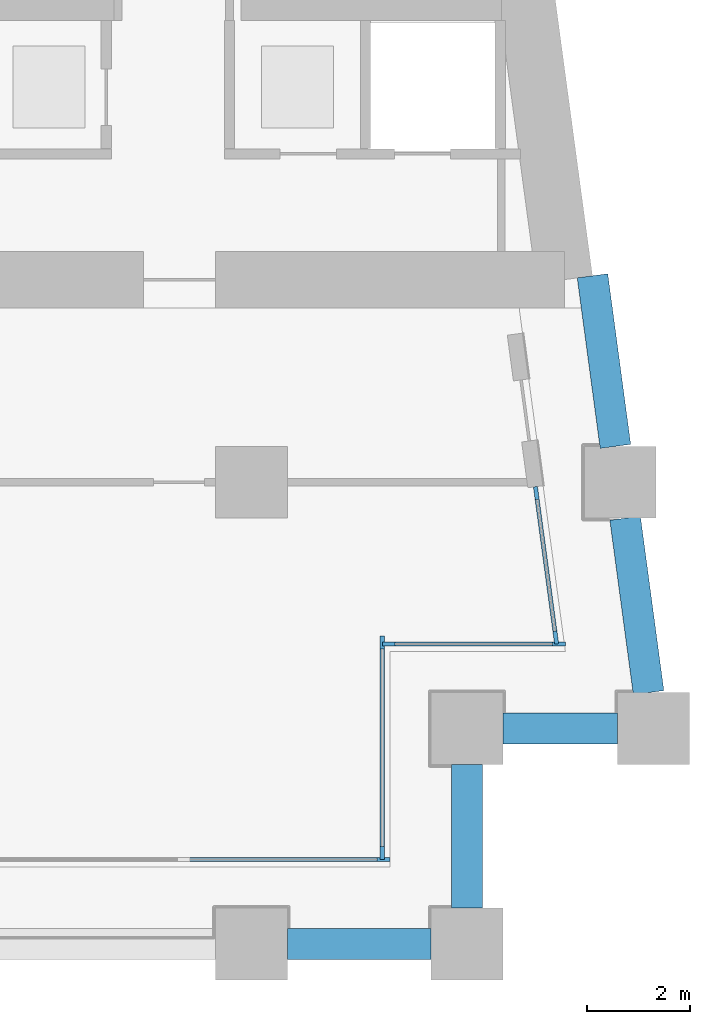
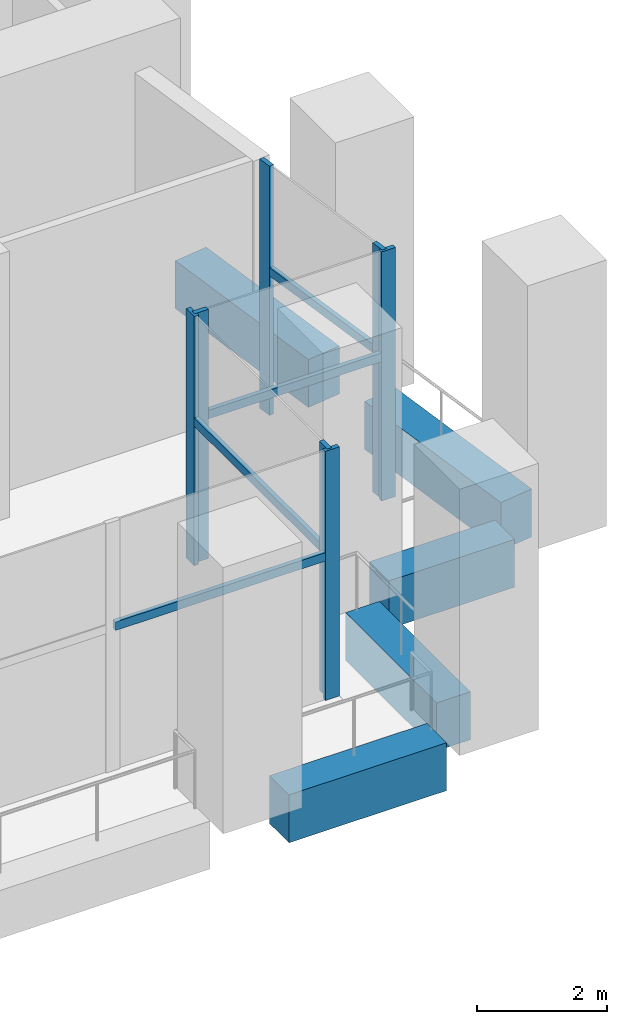
# One storey, part 3 of 15: 11 members, 5 beams, 4 elements without a shape of their own.
"""IFC4 building model written with IfcOpenShell, lengths in metres."""

from ifc_helpers import new_model, si_unit, direction, frame, origin, origin_2d, place, context, subcontext, project, spatial, rectangle, extrude, material, material_profile, profile_set, type_object, element, aggregate, save


model = new_model("IFC4")

# Units and contexts
model_context = context("Model", 3, precision=1e-05, world=origin(), true_north=direction((0.0, 1.0)))
body_context = subcontext(model_context, "Body", "Model", "MODEL_VIEW")
ifc_project = project(units=[si_unit("LENGTHUNIT", "METRE"), si_unit("AREAUNIT", "SQUARE_METRE"), si_unit("VOLUMEUNIT", "CUBIC_METRE"), si_unit("PLANEANGLEUNIT", "RADIAN"), si_unit("MASSUNIT", "GRAM", prefix="KILO")], contexts=[model_context])

# Site, building, storey
site_placement = place(None, origin())
site = spatial("IfcSite", under=ifc_project, at=site_placement, CompositionType="ELEMENT")
building_placement = place(site_placement, origin())
building = spatial("IfcBuilding", under=site, at=building_placement, Name="Candeia Pilgrim Tower and Theatre", CompositionType="ELEMENT")
storey_placement = place(building_placement, frame((0.0, 0.0, 86.0)))
storey = spatial("IfcBuildingStorey", under=building, at=storey_placement, Name="L19", CompositionType="ELEMENT", Elevation=86.0)

# Curtain wall, member
ifc_material_1 = material(Name="Aluminium framed sky lobby glazing", Category="aluminium")
curtain_wall_type = type_object("IfcCurtainWallType", Name="CW-S curtain wall", PredefinedType="NOTDEFINED", material=ifc_material_1)
curtain_wall_1_placement = place(storey_placement, origin())
curtain_wall_1 = element("IfcCurtainWall", 1, at=curtain_wall_1_placement, inside=storey, type_object=curtain_wall_type, Name="Curtain wall CW-S L19.002", PredefinedType="NOTDEFINED")
ifc_material_2 = material(Name="Anodised aluminium", Category="aluminium")
ifc_material_profile_1 = material_profile(ifc_material_2, rectangle(XDim=0.080078125, YDim=0.25, at=origin_2d()))
ifc_profile_set_1 = profile_set([ifc_material_profile_1], Name="Anodised aluminium")
member_type_1 = type_object("IfcMemberType", Name="CW-S mullion 80x250", PredefinedType="MULLION", material=ifc_profile_set_1)
member_1_placement = place(storey_placement, frame((136.97509765625, 99.64990234375, 0.0), z_axis=(0.0, 0.0, 1.0), x_axis=(0.0, 1.0, 0.0)))
member_1 = element("IfcMember", 2, at=member_1_placement, type_object=member_type_1, Name="CW-S mullion 6", PredefinedType="MULLION", context=body_context, shape_type="SweptSolid", body=[
    extrude(rectangle(XDim=0.080078125, YDim=0.25, at=origin_2d()), origin(), (0.0, 0.0, 1.0), 4.679931640625),
])

# Curtain wall, members
curtain_wall_2_placement = place(storey_placement, origin())
curtain_wall_2 = element("IfcCurtainWall", 3, at=curtain_wall_2_placement, inside=storey, type_object=curtain_wall_type, Name="Curtain wall CW-S L19.100", PredefinedType="NOTDEFINED")
member_2_placement = place(storey_placement, frame((136.949951171875, 99.77490234375, 0.0), z_axis=(0.0, 0.0, 1.0), x_axis=(-1.0, 0.0, 0.0)))
member_2 = element("IfcMember", 4, at=member_2_placement, type_object=member_type_1, Name="CW-S mullion 1", PredefinedType="MULLION", context=body_context, shape_type="SweptSolid", body=[
    extrude(rectangle(XDim=0.080078125, YDim=0.25, at=origin_2d()), origin(), (0.0, 0.0, 1.0), 4.679931640625),
])
member_3_placement = place(storey_placement, frame((136.949951171875, 103.875, 0.0), z_axis=(0.0, 0.0, 1.0), x_axis=(-1.0, 0.0, 0.0)))
member_3 = element("IfcMember", 5, at=member_3_placement, type_object=member_type_1, Name="CW-S mullion 2", PredefinedType="MULLION", context=body_context, shape_type="SweptSolid", body=[
    extrude(rectangle(XDim=0.080078125, YDim=0.25, at=origin_2d()), origin(), (0.0, 0.0, 1.0), 4.679931640625),
])

curtain_wall_3_placement = place(storey_placement, origin())
curtain_wall_3 = element("IfcCurtainWall", 6, at=curtain_wall_3_placement, inside=storey, type_object=curtain_wall_type, Name="Curtain wall CW-S L19.200", PredefinedType="NOTDEFINED")
member_4_placement = place(storey_placement, frame((137.074951171875, 103.85009765625, 0.0), z_axis=(0.0, 0.0, 1.0), x_axis=(0.0, 1.0, 0.0)))
member_4 = element("IfcMember", 7, at=member_4_placement, type_object=member_type_1, Name="CW-S mullion 1", PredefinedType="MULLION", context=body_context, shape_type="SweptSolid", body=[
    extrude(rectangle(XDim=0.080078125, YDim=0.25, at=origin_2d()), origin(), (0.0, 0.0, 1.0), 4.679931640625),
])
member_5_placement = place(storey_placement, frame((140.39404296875, 103.85009765625, 0.0), z_axis=(0.0, 0.0, 1.0), x_axis=(0.0, 1.0, 0.0)))
member_5 = element("IfcMember", 8, at=member_5_placement, type_object=member_type_1, Name="CW-S mullion 2", PredefinedType="MULLION", context=body_context, shape_type="SweptSolid", body=[
    extrude(rectangle(XDim=0.080078125, YDim=0.25, at=origin_2d()), origin(), (0.0, 0.0, 1.0), 4.679931640625),
])

curtain_wall_4_placement = place(storey_placement, origin())
curtain_wall_4 = element("IfcCurtainWall", 9, at=curtain_wall_4_placement, inside=storey, type_object=curtain_wall_type, Name="Curtain wall CW-S L19.300", PredefinedType="NOTDEFINED")
member_6_placement = place(storey_placement, frame((140.3310546875, 103.973876953125, 0.0), z_axis=(0.0, 0.0, 1.0), x_axis=(-0.991060661622, -0.133412012145, 0.0)))
member_6 = element("IfcMember", 10, at=member_6_placement, type_object=member_type_1, Name="CW-S mullion 1", PredefinedType="MULLION", context=body_context, shape_type="SweptSolid", body=[
    extrude(rectangle(XDim=0.080078125, YDim=0.25, at=origin_2d()), origin(), (0.0, 0.0, 1.0), 4.679931640625),
])
member_7_placement = place(storey_placement, frame((139.951904296875, 106.78955078125, 0.0), z_axis=(0.0, 0.0, 1.0), x_axis=(-0.991060661622, -0.133412012145, 0.0)))
member_7 = element("IfcMember", 11, at=member_7_placement, type_object=member_type_1, Name="CW-S mullion 2", PredefinedType="MULLION", context=body_context, shape_type="SweptSolid", body=[
    extrude(rectangle(XDim=0.080078125, YDim=0.25, at=origin_2d()), origin(), (0.0, 0.0, 1.0), 4.679931640625),
])

# Member
ifc_material_profile_2 = material_profile(ifc_material_2, rectangle(XDim=0.080078125, YDim=0.159912109375, at=origin_2d()))
ifc_profile_set_2 = profile_set([ifc_material_profile_2], Name="Anodised aluminium")
member_type_2 = type_object("IfcMemberType", Name="CW-S transom 80x160", PredefinedType="USERDEFINED", material=ifc_profile_set_2)
member_8_placement = place(storey_placement, frame((133.1201171875, 99.64990234375, 2.699951171875), z_axis=(1.0, 0.0, 0.0), x_axis=(0.0, 1.0, 0.0)))
member_8 = element("IfcMember", 12, at=member_8_placement, type_object=member_type_2, Name="CW-S transom 5.1", ObjectType="TRANSOM", PredefinedType="USERDEFINED", context=body_context, shape_type="SweptSolid", body=[
    extrude(rectangle(XDim=0.080078125, YDim=0.159912109375, at=origin_2d()), origin(), (0.0, 0.0, 1.0), 3.81494140625),
])

aggregate(curtain_wall_1, [member_1, member_8])

member_9_placement = place(storey_placement, frame((136.949951171875, 99.81494140625, 2.699951171875), z_axis=(0.0, 1.0, 0.0), x_axis=(-1.0, 0.0, 0.0)))
member_9 = element("IfcMember", 13, at=member_9_placement, type_object=member_type_2, Name="CW-S transom 1.1", ObjectType="TRANSOM", PredefinedType="USERDEFINED", context=body_context, shape_type="SweptSolid", body=[
    extrude(rectangle(XDim=0.080078125, YDim=0.159912109375, at=origin_2d()), origin(), (0.0, 0.0, 1.0), 4.02001953125),
])

aggregate(curtain_wall_2, [member_2, member_3, member_9])

member_10_placement = place(storey_placement, frame((137.114990234375, 103.85009765625, 2.699951171875), z_axis=(1.0, 0.0, 0.0), x_axis=(0.0, 1.0, 0.0)))
member_10 = element("IfcMember", 14, at=member_10_placement, type_object=member_type_2, Name="CW-S transom 1.1", ObjectType="TRANSOM", PredefinedType="USERDEFINED", context=body_context, shape_type="SweptSolid", body=[
    extrude(rectangle(XDim=0.080078125, YDim=0.159912109375, at=origin_2d()), origin(), (0.0, 0.0, 1.0), 3.2392578125),
])

aggregate(curtain_wall_3, [member_4, member_5, member_10])

member_11_placement = place(storey_placement, frame((140.32568359375, 104.013427734375, 2.699951171875), z_axis=(-0.133420362397, 0.991059537514, 0.0), x_axis=(-0.991059537514, -0.133420362397, 0.0)))
member_11 = element("IfcMember", 15, at=member_11_placement, type_object=member_type_2, Name="CW-S transom 1.1", ObjectType="TRANSOM", PredefinedType="USERDEFINED", context=body_context, shape_type="SweptSolid", body=[
    extrude(rectangle(XDim=0.080078125, YDim=0.159912109375, at=origin_2d()), origin(), (0.0, 0.0, 1.0), 2.76123046875),
])

aggregate(curtain_wall_4, [member_6, member_7, member_11])

# Beams
ifc_material_3 = material(Name="Concrete C80/95", Category="concrete")
ifc_material_profile_3 = material_profile(ifc_material_3, rectangle(XDim=0.60009765625, YDim=0.89990234375, at=origin_2d()))
ifc_profile_set_3 = profile_set([ifc_material_profile_3], Name="Concrete C80/95")
beam_type = type_object("IfcBeamType", Name="RC 600x900 C80/95", PredefinedType="BEAM", material=ifc_profile_set_3)
beam_1_placement = place(storey_placement, frame((135.10009765625, 98.0, -0.449951171875), z_axis=(1.0, 0.0, 0.0), x_axis=(0.0, 1.0, 0.0)))
element("IfcBeam", 16, at=beam_1_placement, inside=storey, type_object=beam_type, Name="Spandrel beam L19-07", PredefinedType="BEAM", context=body_context, shape_type="SweptSolid", body=[
    extrude(rectangle(XDim=0.60009765625, YDim=0.89990234375, at=origin_2d()), origin(), (0.0, 0.0, 1.0), 2.7998046875),
])
beam_2_placement = place(storey_placement, frame((138.60009765625, 98.699951171875, -0.449951171875), z_axis=(0.0, 1.0, 0.0), x_axis=(-1.0, 0.0, 0.0)))
element("IfcBeam", 17, at=beam_2_placement, inside=storey, type_object=beam_type, Name="Spandrel beam L19-08", PredefinedType="BEAM", context=body_context, shape_type="SweptSolid", body=[
    extrude(rectangle(XDim=0.60009765625, YDim=0.89990234375, at=origin_2d()), origin(), (0.0, 0.0, 1.0), 2.800048828125),
])
beam_3_placement = place(storey_placement, frame((139.300048828125, 102.199951171875, -0.449951171875), z_axis=(1.0, 0.0, 0.0), x_axis=(0.0, 1.0, 0.0)))
element("IfcBeam", 18, at=beam_3_placement, inside=storey, type_object=beam_type, Name="Spandrel beam L19-09", PredefinedType="BEAM", context=body_context, shape_type="SweptSolid", body=[
    extrude(rectangle(XDim=0.60009765625, YDim=0.89990234375, at=origin_2d()), origin(), (0.0, 0.0, 1.0), 2.234619140625),
])
beam_4_placement = place(storey_placement, frame((142.140380859375, 102.89990234375, -0.449951171875), z_axis=(-0.133426797477, 0.991058671177, 0.0), x_axis=(-0.991058671177, -0.133426797477, 0.0)))
element("IfcBeam", 19, at=beam_4_placement, inside=storey, type_object=beam_type, Name="Spandrel beam L19-10", PredefinedType="BEAM", context=body_context, shape_type="SweptSolid", body=[
    extrude(rectangle(XDim=0.60009765625, YDim=0.89990234375, at=origin_2d()), origin(), (0.0, 0.0, 1.0), 3.430908203125),
])
beam_5_placement = place(storey_placement, frame((141.494140625, 107.699951171875, -0.449951171875), z_axis=(-0.13337488337, 0.991065659019, 0.0), x_axis=(-0.991065659019, -0.13337488337, 0.0)))
element("IfcBeam", 20, at=beam_5_placement, inside=storey, type_object=beam_type, Name="Spandrel beam L19-11", PredefinedType="BEAM", context=body_context, shape_type="SweptSolid", body=[
    extrude(rectangle(XDim=0.60009765625, YDim=0.89990234375, at=origin_2d()), origin(), (0.0, 0.0, 1.0), 3.353515625),
])

save(model, "model.ifc")
